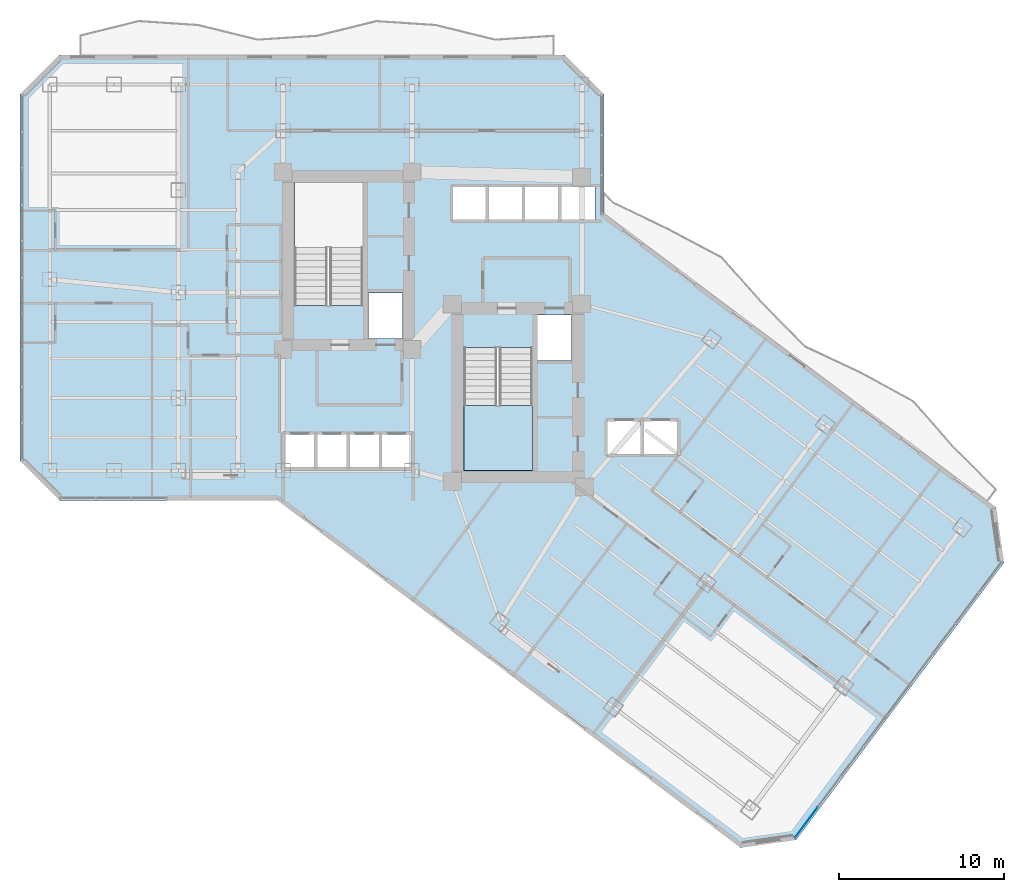
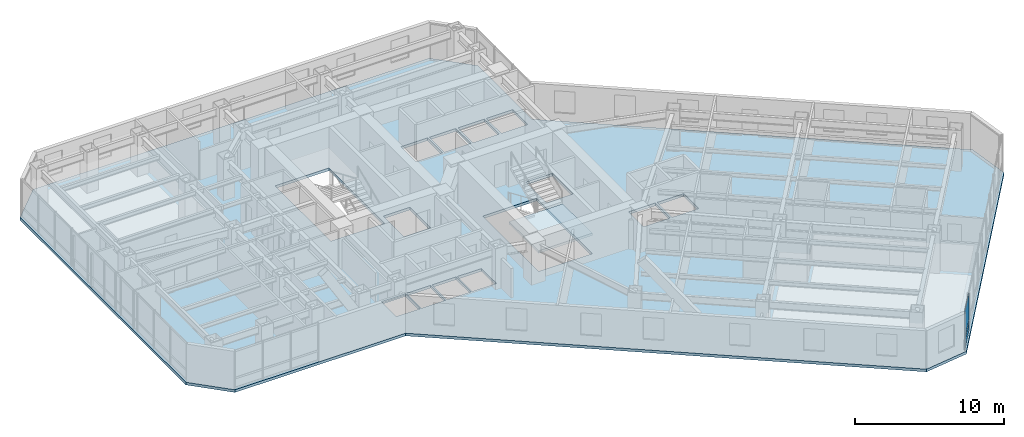
# One storey, part 21 of 31: 2 plates, 2 slabs, 2 elements without a shape of their own.
"""IFC4 building model written with IfcOpenShell, lengths in metres."""

from ifc_helpers import new_model, si_unit, direction, frame, origin, origin_2d, place, context, subcontext, project, spatial, polyline, rectangle, outline, extrude, material, layer, layer_set, type_object, element, aggregate, save


model = new_model("IFC4")

# Units and contexts
model_context = context("Model", 3, precision=1e-05, world=origin(), true_north=direction((0.0, 1.0)))
body_context = subcontext(model_context, "Body", "Model", "MODEL_VIEW")
ifc_project = project(units=[si_unit("LENGTHUNIT", "METRE"), si_unit("AREAUNIT", "SQUARE_METRE"), si_unit("VOLUMEUNIT", "CUBIC_METRE"), si_unit("PLANEANGLEUNIT", "RADIAN"), si_unit("MASSUNIT", "GRAM", prefix="KILO")], contexts=[model_context])

# Site, building, storey
site_placement = place(None, origin())
site = spatial("IfcSite", under=ifc_project, at=site_placement, CompositionType="ELEMENT")
building_placement = place(site_placement, origin())
building = spatial("IfcBuilding", under=site, at=building_placement, Name="Hatsunagi Terrace Concourse", CompositionType="ELEMENT")
storey_placement = place(building_placement, frame((0.0, 0.0, 77.949951171875)))
storey = spatial("IfcBuildingStorey", under=building, at=storey_placement, Name="L20", CompositionType="ELEMENT", Elevation=77.949951171875)

# Curtain wall, plates
ifc_material_1 = material(Name="Anodised Aluminium Alloy 6063-T5", Category="aluminium")
ifc_layer_1 = layer(ifc_material_1, 0.199951171875)
ifc_layer_set_1 = layer_set([ifc_layer_1], Name="HotelFacade_CW02")
curtain_wall_type = type_object("IfcCurtainWallType", Name="HotelFacade_CW02", PredefinedType="NOTDEFINED", material=ifc_layer_set_1)
curtain_wall_placement = place(storey_placement, origin())
curtain_wall = element("IfcCurtainWall", 1, at=curtain_wall_placement, inside=storey, type_object=curtain_wall_type, Name="Unitised Curtain Wall CW-02 CW-L20-03", PredefinedType="NOTDEFINED")
ifc_material_2 = material(Name="Warm Terracotta Ceramic Spandrel Panel", Category="masonry")
ifc_layer_2 = layer(ifc_material_2, 0.031982421875)
ifc_layer_set_2 = layer_set([ifc_layer_2], Name="CurtainWallSpandrelPanel_32")
plate_type_1 = type_object("IfcPlateType", Name="CurtainWallSpandrelPanel_32", PredefinedType="SHEET", material=ifc_layer_set_2)
plate_1_placement = place(storey_placement, frame((57.259033203125, 3.8779296875, 0.030029296875), z_axis=(0.0, 0.0, 1.0), x_axis=(-0.599969314634, -0.800023013105, 0.0)))
plate_1 = element("IfcPlate", 2, at=plate_1_placement, type_object=plate_type_1, Name="Terracotta Spandrel Panel SPN-01", PredefinedType="SHEET", context=body_context, shape_type="SweptSolid", body=[
    extrude(rectangle(XDim=2.264892578125, YDim=0.031982421875, at=origin_2d()), origin(), (0.0, 0.0, 1.0), 0.7900390625),
])
ifc_material_3 = material(Name="Low-E Double Insulating Glass 28mm", Category="glass")
ifc_layer_3 = layer(ifc_material_3, 0.028076171875)
ifc_layer_set_3 = layer_set([ifc_layer_3], Name="CurtainWallVisionGlass_28")
plate_type_2 = type_object("IfcPlateType", Name="CurtainWallVisionGlass_28", PredefinedType="CURTAIN_PANEL", material=ifc_layer_set_3)
plate_2_placement = place(storey_placement, frame((57.259033203125, 3.8779296875, 0.8798828125), z_axis=(0.0, 0.0, 1.0), x_axis=(-0.599969314634, -0.800023013105, 0.0)))
plate_2 = element("IfcPlate", 3, at=plate_2_placement, type_object=plate_type_2, Name="Low-E Vision Glass Panel GLZ-01", PredefinedType="CURTAIN_PANEL", context=body_context, shape_type="SweptSolid", body=[
    extrude(rectangle(XDim=2.264892578125, YDim=0.028076171875, at=origin_2d()), origin(), (0.0, 0.0, 1.0), 2.219970703125),
])
aggregate(curtain_wall, [plate_1, plate_2])

# Stair, slab
ifc_material_4 = material(Name="Concrete Fc42", Category="concrete")
stair_type = type_object("IfcStairType", Name="DoglegExitStair_Tower2000_20R_167", PredefinedType="HALF_TURN_STAIR", material=ifc_material_4)
stair_placement = place(storey_placement, origin())
stair = element("IfcStair", 4, at=stair_placement, inside=storey, type_object=stair_type, Name="L20 Core B Protected Exit Stair ST-B", PredefinedType="HALF_TURN_STAIR")
ifc_material_5 = material(Name="Concrete Fc42", Category="concrete")
ifc_layer_4 = layer(ifc_material_5, 0.199951171875)
ifc_layer_set_4 = layer_set([ifc_layer_4], Name="DoglegStairLanding_Tower2000")
slab_type_1 = type_object("IfcSlabType", Name="DoglegStairLanding_Tower2000", PredefinedType="LANDING", material=ifc_layer_set_4)
slab_1_placement = place(storey_placement, frame((0.0, 0.0, 1.47509765625)))
slab_1 = element("IfcSlab", 5, at=slab_1_placement, type_object=slab_type_1, Name="ST-B landing 1", PredefinedType="LANDING", context=body_context, shape_type="SweptSolid", body=[
    extrude(outline(polyline([(36.5, 29.14990234375), (36.5, 25.199951171875), (40.64990234375, 25.199951171875), (40.64990234375, 29.14990234375), (36.5, 29.14990234375)])), origin(), (0.0, 0.0, 1.0), 0.199951171875),
])
aggregate(stair, [slab_1])

# Slab
ifc_material_6 = material(Name="Concrete Fc42", Category="concrete")
ifc_layer_5 = layer(ifc_material_6, 0.219970703125)
ifc_layer_set_5 = layer_set([ifc_layer_5], Name="HotelFloorSlab_Fc42_220")
slab_type_2 = type_object("IfcSlabType", Name="HotelFloorSlab_Fc42_220", PredefinedType="FLOOR", material=ifc_layer_set_5)
slab_2_placement = place(storey_placement, frame((0.0, 0.0, -0.219970703125)))
element("IfcSlab", 6, at=slab_2_placement, inside=storey, type_object=slab_type_2, Name="Floor Slab SL-220 L20", PredefinedType="FLOOR", context=body_context, shape_type="SweptSolid", body=[
    extrude(outline(polyline([(45.0, 40.800048828125), (45.0, 48.0), (42.60009765625, 50.39990234375), (12.0, 50.39990234375), (9.60009765625, 48.0), (9.60009765625, 25.800048828125), (12.0, 23.39990234375), (25.199951171875, 23.39990234375), (53.280029296875, 2.340087890625), (56.639892578125, 2.820068359375), (69.239990234375, 19.6201171875), (68.760009765625, 22.97998046875), (45.0, 40.800048828125)]), holes=[polyline([(26.22998046875, 35.205078125), (30.3798828125, 35.205078125), (30.3798828125, 42.659912109375), (26.22998046875, 42.659912109375), (26.22998046875, 35.205078125)]), polyline([(36.5, 25.199951171875), (40.64990234375, 25.199951171875), (40.64990234375, 32.655029296875), (36.5, 32.655029296875), (36.5, 25.199951171875)]), polyline([(30.719970703125, 33.219970703125), (32.780029296875, 33.219970703125), (32.780029296875, 35.97998046875), (30.719970703125, 35.97998046875), (30.719970703125, 33.219970703125)]), polyline([(40.97998046875, 31.8798828125), (43.02001953125, 31.8798828125), (43.02001953125, 34.639892578125), (40.97998046875, 34.639892578125), (40.97998046875, 31.8798828125)]), polyline([(25.6201171875, 25.39990234375), (27.47998046875, 25.39990234375), (27.47998046875, 27.39990234375), (25.6201171875, 27.39990234375), (25.6201171875, 25.39990234375)]), polyline([(27.580078125, 25.39990234375), (29.43994140625, 25.39990234375), (29.43994140625, 27.39990234375), (27.580078125, 27.39990234375), (27.580078125, 25.39990234375)]), polyline([(29.5400390625, 25.39990234375), (31.39990234375, 25.39990234375), (31.39990234375, 27.39990234375), (29.5400390625, 27.39990234375), (29.5400390625, 25.39990234375)]), polyline([(31.5, 25.39990234375), (33.360107421875, 25.39990234375), (33.360107421875, 27.39990234375), (31.5, 27.39990234375), (31.5, 25.39990234375)]), polyline([(35.800048828125, 40.39990234375), (37.85009765625, 40.39990234375), (37.85009765625, 42.39990234375), (35.800048828125, 42.39990234375), (35.800048828125, 40.39990234375)]), polyline([(38.0, 40.39990234375), (40.050048828125, 40.39990234375), (40.050048828125, 42.39990234375), (38.0, 42.39990234375), (38.0, 40.39990234375)]), polyline([(40.199951171875, 40.39990234375), (42.25, 40.39990234375), (42.25, 42.39990234375), (40.199951171875, 42.39990234375), (40.199951171875, 40.39990234375)]), polyline([(42.39990234375, 40.39990234375), (44.449951171875, 40.39990234375), (44.449951171875, 42.39990234375), (42.39990234375, 42.39990234375), (42.39990234375, 40.39990234375)]), polyline([(45.199951171875, 26.199951171875), (47.25, 26.199951171875), (47.25, 28.199951171875), (45.199951171875, 28.199951171875), (45.199951171875, 26.199951171875)]), polyline([(47.39990234375, 26.199951171875), (49.449951171875, 26.199951171875), (49.449951171875, 28.199951171875), (47.39990234375, 28.199951171875), (47.39990234375, 26.199951171875)])]), origin(), (0.0, 0.0, 1.0), 0.219970703125),
])

save(model, "model.ifc")
